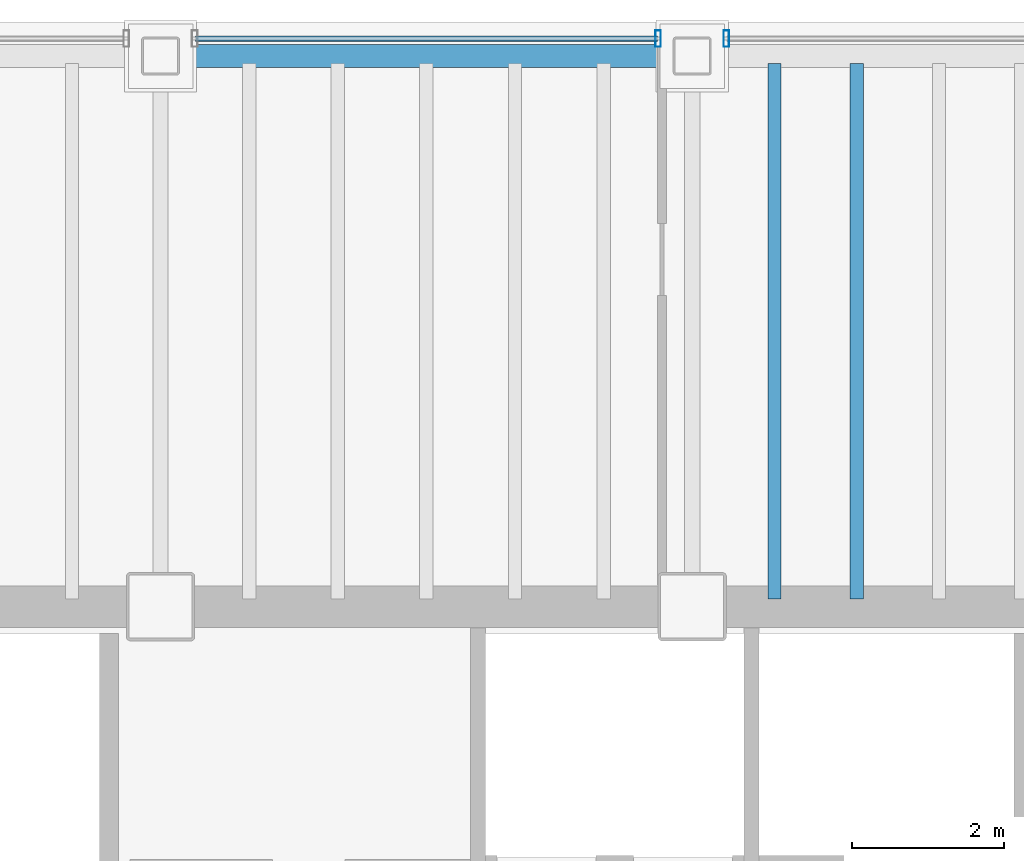
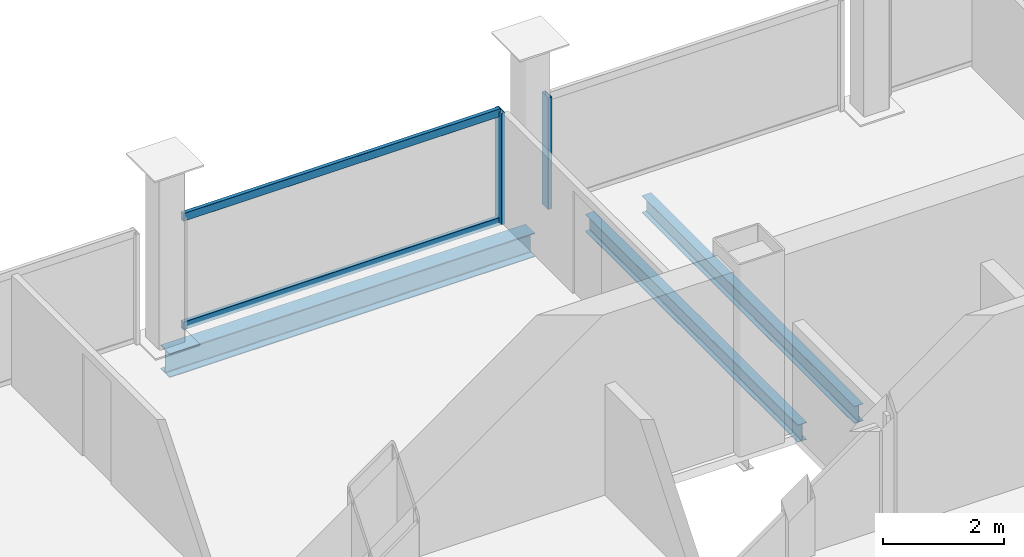
# One storey, part 10 of 19: 4 members, 3 beams, 2 elements without a shape of their own.
"""IFC4 building model written with IfcOpenShell, lengths in metres."""

from ifc_helpers import new_model, si_unit, direction, frame, origin, origin_2d, place, context, subcontext, project, spatial, hollow_rectangle, i_section, extrude, material, material_profile, profile_set, type_object, element, aggregate, save


model = new_model("IFC4")

# Units and contexts
model_context = context("Model", 3, precision=1e-05, world=origin(), true_north=direction((0.0, 1.0)))
body_context = subcontext(model_context, "Body", "Model", "MODEL_VIEW")
ifc_project = project(units=[si_unit("LENGTHUNIT", "METRE"), si_unit("AREAUNIT", "SQUARE_METRE"), si_unit("VOLUMEUNIT", "CUBIC_METRE"), si_unit("PLANEANGLEUNIT", "RADIAN"), si_unit("MASSUNIT", "GRAM", prefix="KILO")], contexts=[model_context])

# Site, building, storey
site_placement = place(None, origin())
site = spatial("IfcSite", under=ifc_project, at=site_placement, CompositionType="ELEMENT")
building_placement = place(site_placement, origin())
building = spatial("IfcBuilding", under=site, at=building_placement, Name="Noeulbin Bourse Tower", CompositionType="ELEMENT")
storey_placement = place(building_placement, frame((0.0, 0.0, 165.60009765625)))
storey = spatial("IfcBuildingStorey", under=building, at=storey_placement, Name="L41", CompositionType="ELEMENT", Elevation=165.60009765625)

# Beams
ifc_material_1 = material(Name="Steel S355", Category="steel")
ifc_material_profile_1 = material_profile(ifc_material_1, i_section(OverallWidth=0.175048828125, OverallDepth=0.35009765625, WebThickness=0.007080078125, FlangeThickness=0.010986328125, FilletRadius=0.013916015625, at=origin_2d()), Name="H-350x175x7x11", Category="LoadBearing")
ifc_profile_set_1 = profile_set([ifc_material_profile_1], Name="Steel S355")
beam_type_1 = type_object("IfcBeamType", Name="BM-JST-350", PredefinedType="JOIST", material=ifc_profile_set_1)
for number, where, z_axis, x_axis, name in (
    (1, (32.083251953125, 38.39990234375, -0.35498046875), (0.0, 1.0, 0.0), (-1.0, 0.0, 0.0), "Tower Composite Joist L41-42"),
    (2, (33.166748046875, 38.39990234375, -0.35498046875), (0.0, 1.0, 0.0), (-1.0, 0.0, 0.0), "Tower Composite Joist L41-45"),
):
    element("IfcBeam", number, at=place(storey_placement, frame(where, z_axis=z_axis, x_axis=x_axis)), inside=storey, type_object=beam_type_1, Name=name, PredefinedType="JOIST", context=body_context, shape_type="SweptSolid", body=[
        extrude(i_section(OverallWidth=0.175048828125, OverallDepth=0.35009765625, WebThickness=0.007080078125, FlangeThickness=0.010986328125, FilletRadius=0.013916015625, at=origin_2d()), origin(), (0.0, 0.0, 1.0), 7.050048828125),
    ])
ifc_material_profile_2 = material_profile(ifc_material_1, i_section(OverallWidth=0.300048828125, OverallDepth=0.488037109375, WebThickness=0.010986328125, FlangeThickness=0.01806640625, FilletRadius=0.02197265625, at=origin_2d()), Name="H-488x300x11x18", Category="LoadBearing")
ifc_profile_set_2 = profile_set([ifc_material_profile_2], Name="Steel S355")
beam_type_2 = type_object("IfcBeamType", Name="BM-SPN-488", PredefinedType="SPANDREL", material=ifc_profile_set_2)
beam_placement = place(storey_placement, frame((24.0, 45.550048828125, -0.424072265625), z_axis=(1.0, 0.0, 0.0), x_axis=(0.0, 1.0, 0.0)))
element("IfcBeam", 3, at=beam_placement, inside=storey, type_object=beam_type_2, Name="North Spandrel L41-2", PredefinedType="SPANDREL", context=body_context, shape_type="SweptSolid", body=[
    extrude(i_section(OverallWidth=0.300048828125, OverallDepth=0.488037109375, WebThickness=0.010986328125, FlangeThickness=0.01806640625, FilletRadius=0.02197265625, at=origin_2d()), origin(), (0.0, 0.0, 1.0), 7.0),
])

# Curtain wall, member
ifc_material_2 = material(Name="Dark Tinted Triple Glazing", Category="glass")
curtain_wall_type = type_object("IfcCurtainWallType", Name="CW-SYS-3", PredefinedType="NOTDEFINED", material=ifc_material_2)
curtain_wall_1_placement = place(storey_placement, origin())
curtain_wall_1 = element("IfcCurtainWall", 4, at=curtain_wall_1_placement, inside=storey, type_object=curtain_wall_type, Name="Unitised Curtain Wall CW-L41-N-S3", PredefinedType="NOTDEFINED")
ifc_material_3 = material(Name="Anodised Aluminium 6063-T6", Category="aluminium")
ifc_material_profile_3 = material_profile(ifc_material_3, hollow_rectangle(XDim=0.074951171875, YDim=0.219970703125, WallThickness=0.0048828125, InnerFilletRadius=0.00244140625, OuterFilletRadius=0.0048828125, at=origin_2d()), Name="ALU-MULL-75x220x5", Category="LoadBearing")
ifc_profile_set_3 = profile_set([ifc_material_profile_3], Name="Anodised Aluminium 6063-T6")
member_type_1 = type_object("IfcMemberType", Name="CW-SYS-3-MUL", PredefinedType="MULLION", material=ifc_profile_set_3)
member_1_placement = place(storey_placement, frame((30.550048828125, 45.780029296875, -0.02001953125), z_axis=(0.0, 0.0, 1.0), x_axis=(1.0, 0.0, 0.0)))
member_1 = element("IfcMember", 5, at=member_1_placement, type_object=member_type_1, Name="Curtain Wall Mullion CW-L41-N-S3-M01", PredefinedType="MULLION", context=body_context, shape_type="SweptSolid", body=[
    extrude(hollow_rectangle(XDim=0.074951171875, YDim=0.219970703125, WallThickness=0.0048828125, InnerFilletRadius=0.00244140625, OuterFilletRadius=0.0048828125, at=origin_2d()), origin(), (0.0, 0.0, 1.0), 2.260009765625),
])

curtain_wall_2_placement = place(storey_placement, origin())
curtain_wall_2 = element("IfcCurtainWall", 6, at=curtain_wall_2_placement, inside=storey, type_object=curtain_wall_type, Name="Unitised Curtain Wall CW-L41-N-S4", PredefinedType="NOTDEFINED")
member_2_placement = place(storey_placement, frame((31.449951171875, 45.780029296875, -0.02001953125), z_axis=(0.0, 0.0, 1.0), x_axis=(1.0, 0.0, 0.0)))
member_2 = element("IfcMember", 7, at=member_2_placement, type_object=member_type_1, Name="Curtain Wall Mullion CW-L41-N-S4-M00", PredefinedType="MULLION", context=body_context, shape_type="SweptSolid", body=[
    extrude(hollow_rectangle(XDim=0.074951171875, YDim=0.219970703125, WallThickness=0.0048828125, InnerFilletRadius=0.00244140625, OuterFilletRadius=0.0048828125, at=origin_2d()), origin(), (0.0, 0.0, 1.0), 2.260009765625),
])
aggregate(curtain_wall_2, [member_2])

# Member
ifc_material_profile_4 = material_profile(ifc_material_3, hollow_rectangle(XDim=0.074951171875, YDim=0.159912109375, WallThickness=0.0048828125, InnerFilletRadius=0.00244140625, OuterFilletRadius=0.0048828125, at=origin_2d()), Name="ALU-TRAN-75x160x5", Category="LoadBearing")
ifc_profile_set_4 = profile_set([ifc_material_profile_4], Name="Anodised Aluminium 6063-T6")
member_type_2 = type_object("IfcMemberType", Name="CW-SYS-3-TRN", PredefinedType="USERDEFINED", material=ifc_profile_set_4)
member_3_placement = place(storey_placement, frame((24.4599609375, 45.780029296875, 0.010009765625), z_axis=(1.0, 0.0, 0.0), x_axis=(0.0, 1.0, 0.0)))
member_3 = element("IfcMember", 8, at=member_3_placement, type_object=member_type_2, Name="Curtain Wall Transom CW-L41-N-S3-T00", ObjectType="TRANSOM", PredefinedType="USERDEFINED", context=body_context, shape_type="SweptSolid", body=[
    extrude(hollow_rectangle(XDim=0.074951171875, YDim=0.159912109375, WallThickness=0.0048828125, InnerFilletRadius=0.00244140625, OuterFilletRadius=0.0048828125, at=origin_2d()), origin(), (0.0, 0.0, 1.0), 6.080078125),
])

member_4_placement = place(storey_placement, frame((24.4599609375, 45.780029296875, 2.2099609375), z_axis=(1.0, 0.0, 0.0), x_axis=(0.0, 1.0, 0.0)))
member_4 = element("IfcMember", 9, at=member_4_placement, type_object=member_type_2, Name="Curtain Wall Transom CW-L41-N-S3-T01", ObjectType="TRANSOM", PredefinedType="USERDEFINED", context=body_context, shape_type="SweptSolid", body=[
    extrude(hollow_rectangle(XDim=0.074951171875, YDim=0.159912109375, WallThickness=0.0048828125, InnerFilletRadius=0.00244140625, OuterFilletRadius=0.0048828125, at=origin_2d()), origin(), (0.0, 0.0, 1.0), 6.080078125),
])

aggregate(curtain_wall_1, [member_1, member_3, member_4])

save(model, "model.ifc")
